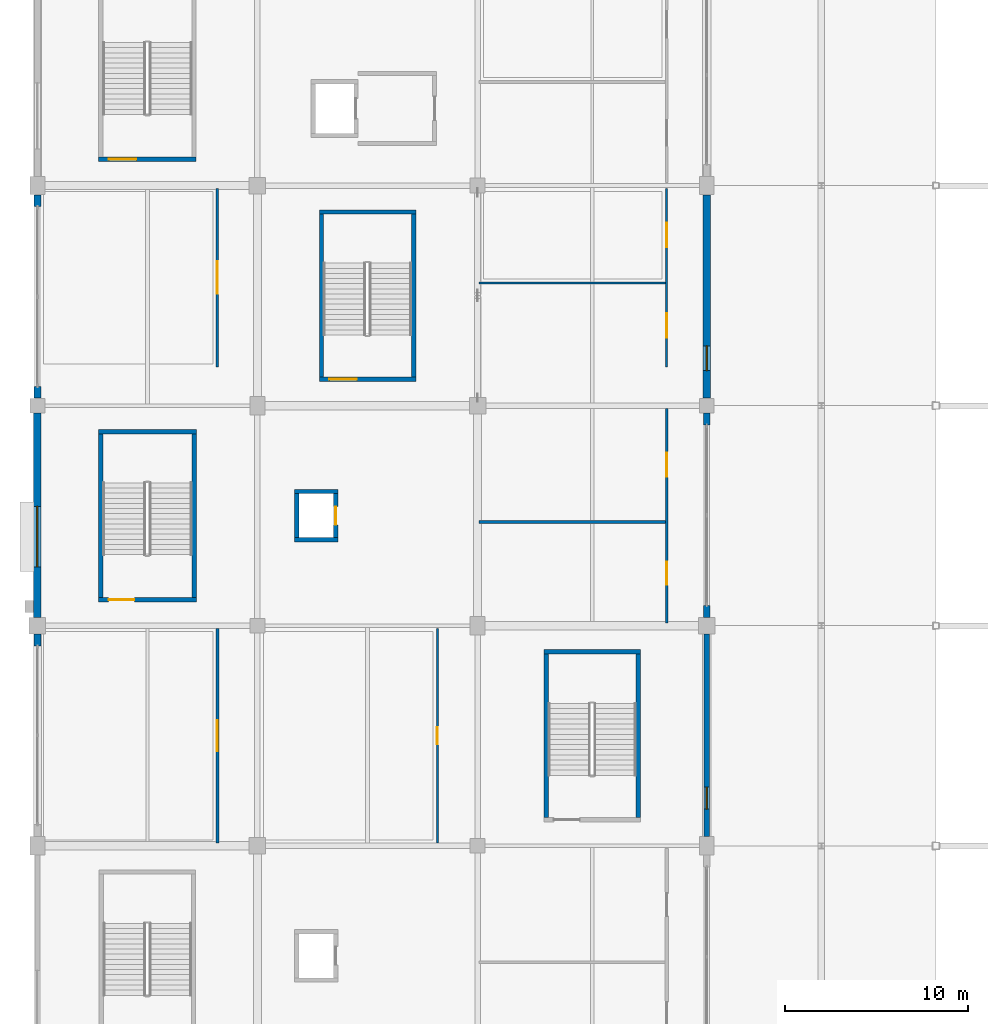
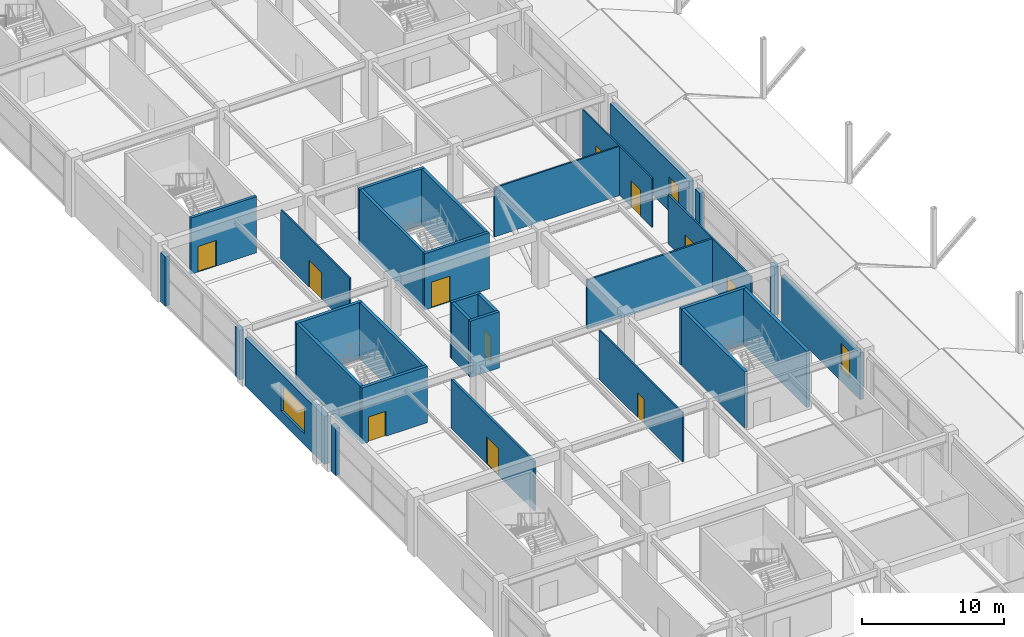
# One storey, part 70 of 116: 31 walls, 11 doors, 3 windows, 14 openings.
"""IFC4 building model written with IfcOpenShell, lengths in metres."""

from ifc_helpers import new_model, si_unit, direction, frame, frame_2d, origin, place, context, subcontext, project, spatial, rectangle, extrude, material, layer, layer_set, type_object, element, fill, save


model = new_model("IFC4")

# Units and contexts
model_context = context("Model", 3, precision=1e-05, world=origin(), true_north=direction((0.0, 1.0)))
body_context = subcontext(model_context, "Body", "Model", "MODEL_VIEW")
ifc_project = project(units=[si_unit("LENGTHUNIT", "METRE"), si_unit("AREAUNIT", "SQUARE_METRE"), si_unit("VOLUMEUNIT", "CUBIC_METRE"), si_unit("PLANEANGLEUNIT", "RADIAN"), si_unit("MASSUNIT", "GRAM", prefix="KILO")], contexts=[model_context])

# Site, building, storey
site_placement = place(None, origin())
site = spatial("IfcSite", under=ifc_project, at=site_placement, CompositionType="ELEMENT")
building_placement = place(site_placement, origin())
building = spatial("IfcBuilding", under=site, at=building_placement, Name="Kazenohara Klinker Stadium", CompositionType="ELEMENT")
storey_placement = place(building_placement, frame((0.0, 0.0, 10.199951171875)))
storey = spatial("IfcBuildingStorey", under=building, at=storey_placement, Name="L02", CompositionType="ELEMENT", Elevation=10.199951171875)

# Wall, opening, door
ifc_material_1 = material(Name="Concrete C40/50", Category="concrete")
ifc_layer_1 = layer(ifc_material_1, 0.22998046875)
ifc_layer_set_1 = layer_set([ifc_layer_1], Name="Concrete C40/50")
wall_type_1 = type_object("IfcWallType", Name="WAL-CORE-230", PredefinedType="SHEAR", material=ifc_layer_set_1)
wall_1_placement = place(storey_placement, frame((3.340087890625, 109.43505859375, 0.0), z_axis=(0.0, 0.0, 1.0), x_axis=(1.0, 0.0, 0.0)))
wall_1 = element("IfcWall", 1, at=wall_1_placement, inside=storey, type_object=wall_type_1, Name="Stairwell shear wall ST04 L02 South", PredefinedType="SHEAR", context=body_context, shape_type="SweptSolid", body=[
    extrude(rectangle(XDim=5.31982421875, YDim=0.22998046875, at=frame_2d((2.659912109375, 0.0))), origin(), (0.0, 0.0, 1.0), 4.820068359375),
])
opening_1_placement = place(wall_1_placement, frame((0.550048828125, 0.0, 0.0)))
opening_1 = element("IfcOpeningElement", 2, at=opening_1_placement, cuts=wall_1, Name="Opening SD02", PredefinedType="OPENING", context=body_context, shape_type="SweptSolid", body=[
    extrude(rectangle(XDim=1.5, YDim=2.199951171875, at=frame_2d((0.75, 1.10009765625))), frame((0.0, 0.125, 0.0), z_axis=(0.0, -1.0, 0.0), x_axis=(1.0, 0.0, 0.0)), (0.0, 0.0, 1.0), 0.25),
])
ifc_material_2 = material(Name="Flush painted steel fire door leaf", Category="steel")
door_type_1 = type_object("IfcDoorType", Name="DR-STR-1500x2200", OperationType="NOTDEFINED", PredefinedType="DOOR", material=ifc_material_2)
door_1_placement = place(opening_1_placement, origin())
door_1 = element("IfcDoor", 3, at=door_1_placement, inside=storey, type_object=door_type_1, Name="Escape stairwell fire door ST04-L02", OperationType="SINGLE_SWING_LEFT", OverallHeight=2.199951171875, OverallWidth=1.5, PredefinedType="DOOR", context=body_context, shape_type="SweptSolid", body=[
    extrude(rectangle(XDim=1.5, YDim=2.199951171875, at=frame_2d((0.75, 1.10009765625))), frame((0.0, 0.02490234375, 0.0), z_axis=(0.0, -1.0, 0.0), x_axis=(1.0, 0.0, 0.0)), (0.0, 0.0, 1.0), 0.050048828125),
])
fill(opening_1, door_1)

wall_2_placement = place(storey_placement, frame((15.3701171875, 97.43505859375, 0.0), z_axis=(0.0, 0.0, 1.0), x_axis=(1.0, 0.0, 0.0)))
wall_2 = element("IfcWall", 4, at=wall_2_placement, inside=storey, type_object=wall_type_1, Name="Stairwell shear wall ST14 L02 South", PredefinedType="SHEAR", context=body_context, shape_type="SweptSolid", body=[
    extrude(rectangle(XDim=5.259765625, YDim=0.22998046875, at=frame_2d((2.6298828125, 0.0))), origin(), (0.0, 0.0, 1.0), 4.820068359375),
])
opening_2_placement = place(wall_2_placement, frame((0.550048828125, 0.0, 0.0)))
opening_2 = element("IfcOpeningElement", 5, at=opening_2_placement, cuts=wall_2, Name="Opening SD02", PredefinedType="OPENING", context=body_context, shape_type="SweptSolid", body=[
    extrude(rectangle(XDim=1.5, YDim=2.199951171875, at=frame_2d((0.75, 1.10009765625))), frame((0.0, 0.125, 0.0), z_axis=(0.0, -1.0, 0.0), x_axis=(1.0, 0.0, 0.0)), (0.0, 0.0, 1.0), 0.25),
])
door_2_placement = place(opening_2_placement, origin())
door_2 = element("IfcDoor", 6, at=door_2_placement, inside=storey, type_object=door_type_1, Name="Escape stairwell fire door ST14-L02", OperationType="SINGLE_SWING_LEFT", OverallHeight=2.199951171875, OverallWidth=1.5, PredefinedType="DOOR", context=body_context, shape_type="SweptSolid", body=[
    extrude(rectangle(XDim=1.5, YDim=2.199951171875, at=frame_2d((0.75, 1.10009765625))), frame((0.0, 0.02490234375, 0.0), z_axis=(0.0, -1.0, 0.0), x_axis=(1.0, 0.0, 0.0)), (0.0, 0.0, 1.0), 0.050048828125),
])
fill(opening_2, door_2)

# Walls
wall_3_placement = place(storey_placement, frame((15.3701171875, 106.56494140625, 0.0), z_axis=(0.0, 0.0, 1.0), x_axis=(1.0, 0.0, 0.0)))
element("IfcWall", 7, at=wall_3_placement, inside=storey, type_object=wall_type_1, Name="Stairwell shear wall ST14 L02 North", PredefinedType="SHEAR", context=body_context, shape_type="SweptSolid", body=[
    extrude(rectangle(XDim=5.259765625, YDim=0.22998046875, at=frame_2d((2.6298828125, 0.0))), origin(), (0.0, 0.0, 1.0), 4.820068359375),
])
for number, where, z_axis, x_axis, name in (
    (8, (15.485107421875, 97.550048828125, 0.0), (0.0, 0.0, 1.0), (0.0, 1.0, 0.0), "Stairwell shear wall ST14 L02 West"),
    (9, (20.514892578125, 97.550048828125, 0.0), (0.0, 0.0, 1.0), (0.0, 1.0, 0.0), "Stairwell shear wall ST14 L02 East"),
):
    element("IfcWall", number, at=place(storey_placement, frame(where, z_axis=z_axis, x_axis=x_axis)), inside=storey, type_object=wall_type_1, Name=name, PredefinedType="SHEAR", context=body_context, shape_type="SweptSolid", body=[
        extrude(rectangle(XDim=8.89990234375, YDim=0.22998046875, at=frame_2d((4.449951171875, 0.0))), origin(), (0.0, 0.0, 1.0), 4.820068359375),
    ])
for number, where, z_axis, x_axis, name in (
    (10, (14.02001953125, 88.68505859375, 0.0), (0.0, 0.0, 1.0), (1.0, 0.0, 0.0), "Elevator shaft wall LP02 L02 South"),
    (11, (14.02001953125, 91.31494140625, 0.0), (0.0, 0.0, 1.0), (1.0, 0.0, 0.0), "Elevator shaft wall LP02 L02 North"),
):
    element("IfcWall", number, at=place(storey_placement, frame(where, z_axis=z_axis, x_axis=x_axis)), inside=storey, type_object=wall_type_1, Name=name, PredefinedType="SHEAR", context=body_context, shape_type="SweptSolid", body=[
        extrude(rectangle(XDim=2.35986328125, YDim=0.22998046875, at=frame_2d((1.179931640625, 0.0))), origin(), (0.0, 0.0, 1.0), 4.820068359375),
    ])
wall_4_placement = place(storey_placement, frame((14.135009765625, 88.800048828125, 0.0), z_axis=(0.0, 0.0, 1.0), x_axis=(0.0, 1.0, 0.0)))
element("IfcWall", 12, at=wall_4_placement, inside=storey, type_object=wall_type_1, Name="Elevator shaft wall LP02 L02 West", PredefinedType="SHEAR", context=body_context, shape_type="SweptSolid", body=[
    extrude(rectangle(XDim=2.39990234375, YDim=0.22998046875, at=frame_2d((1.199951171875, 0.0))), origin(), (0.0, 0.0, 1.0), 4.820068359375),
])

# Wall, opening, door
wall_5_placement = place(storey_placement, frame((16.264892578125, 88.800048828125, 0.0), z_axis=(0.0, 0.0, 1.0), x_axis=(0.0, 1.0, 0.0)))
wall_5 = element("IfcWall", 13, at=wall_5_placement, inside=storey, type_object=wall_type_1, Name="Elevator shaft wall LP02 L02 East", PredefinedType="SHEAR", context=body_context, shape_type="SweptSolid", body=[
    extrude(rectangle(XDim=2.39990234375, YDim=0.22998046875, at=frame_2d((1.199951171875, 0.0))), origin(), (0.0, 0.0, 1.0), 4.820068359375),
])
opening_3_placement = place(wall_5_placement, frame((0.699951171875, 0.0, 0.0)))
opening_3 = element("IfcOpeningElement", 14, at=opening_3_placement, cuts=wall_5, Name="Opening LD02", PredefinedType="OPENING", context=body_context, shape_type="SweptSolid", body=[
    extrude(rectangle(XDim=1.0, YDim=2.14990234375, at=frame_2d((0.5, 1.074951171875))), frame((0.0, 0.125, 0.0), z_axis=(0.0, -1.0, 0.0), x_axis=(1.0, 0.0, 0.0)), (0.0, 0.0, 1.0), 0.25),
])
ifc_material_3 = material(Name="Stainless steel sliding landing door", Category="steel")
door_type_2 = type_object("IfcDoorType", Name="DR-LD02-1000x2150", OperationType="NOTDEFINED", PredefinedType="DOOR", material=ifc_material_3)
door_3_placement = place(opening_3_placement, origin())
door_3 = element("IfcDoor", 15, at=door_3_placement, inside=storey, type_object=door_type_2, Name="Elevator sliding landing door LP02-L02", OperationType="DOUBLE_DOOR_SLIDING", OverallHeight=2.14990234375, OverallWidth=1.0, PredefinedType="DOOR", context=body_context, shape_type="SweptSolid", body=[
    extrude(rectangle(XDim=1.0, YDim=2.14990234375, at=frame_2d((0.5, 1.074951171875))), frame((0.0, 0.02490234375, 0.0), z_axis=(0.0, -1.0, 0.0), x_axis=(1.0, 0.0, 0.0)), (0.0, 0.0, 1.0), 0.050048828125),
])
fill(opening_3, door_3)

ifc_layer_2 = layer(ifc_material_1, 0.25)
ifc_layer_set_2 = layer_set([ifc_layer_2], Name="Concrete C40/50")
wall_type_2 = type_object("IfcWallType", Name="WAL-CORE-250", PredefinedType="SHEAR", material=ifc_layer_set_2)
wall_6_placement = place(storey_placement, frame((3.330078125, 85.425048828125, 0.0), z_axis=(0.0, 0.0, 1.0), x_axis=(1.0, 0.0, 0.0)))
wall_6 = element("IfcWall", 16, at=wall_6_placement, inside=storey, type_object=wall_type_2, Name="Stairwell shear wall ST03 L02 South", PredefinedType="SHEAR", context=body_context, shape_type="SweptSolid", body=[
    extrude(rectangle(XDim=5.33984375, YDim=0.25, at=frame_2d((2.669921875, 0.0))), origin(), (0.0, 0.0, 1.0), 4.820068359375),
])
opening_4_placement = place(wall_6_placement, frame((0.550048828125, 0.0, 0.0)))
opening_4 = element("IfcOpeningElement", 17, at=opening_4_placement, cuts=wall_6, Name="Opening SD01", PredefinedType="OPENING", context=body_context, shape_type="SweptSolid", body=[
    extrude(rectangle(XDim=1.39990234375, YDim=2.14990234375, at=frame_2d((0.699951171875, 1.074951171875))), frame((0.0, 0.135009765625, 0.0), z_axis=(0.0, -1.0, 0.0), x_axis=(1.0, 0.0, 0.0)), (0.0, 0.0, 1.0), 0.27001953125),
])
door_type_3 = type_object("IfcDoorType", Name="DR-STR-1400x2150", OperationType="NOTDEFINED", PredefinedType="DOOR", material=ifc_material_2)
door_4_placement = place(opening_4_placement, origin())
door_4 = element("IfcDoor", 18, at=door_4_placement, inside=storey, type_object=door_type_3, Name="Escape stairwell fire door ST03-L02", OperationType="SINGLE_SWING_RIGHT", OverallHeight=2.14990234375, OverallWidth=1.39990234375, PredefinedType="DOOR", context=body_context, shape_type="SweptSolid", body=[
    extrude(rectangle(XDim=1.39990234375, YDim=2.14990234375, at=frame_2d((0.699951171875, 1.074951171875))), frame((0.0, 0.02490234375, 0.0), z_axis=(0.0, -1.0, 0.0), x_axis=(1.0, 0.0, 0.0)), (0.0, 0.0, 1.0), 0.050048828125),
])
fill(opening_4, door_4)

# Walls
wall_7_placement = place(storey_placement, frame((3.330078125, 94.574951171875, 0.0), z_axis=(0.0, 0.0, 1.0), x_axis=(1.0, 0.0, 0.0)))
element("IfcWall", 19, at=wall_7_placement, inside=storey, type_object=wall_type_2, Name="Stairwell shear wall ST03 L02 North", PredefinedType="SHEAR", context=body_context, shape_type="SweptSolid", body=[
    extrude(rectangle(XDim=5.33984375, YDim=0.25, at=frame_2d((2.669921875, 0.0))), origin(), (0.0, 0.0, 1.0), 4.820068359375),
])
for number, where, z_axis, x_axis, name in (
    (20, (3.455078125, 85.550048828125, 0.0), (0.0, 0.0, 1.0), (0.0, 1.0, 0.0), "Stairwell shear wall ST03 L02 West"),
    (21, (8.544921875, 85.550048828125, 0.0), (0.0, 0.0, 1.0), (0.0, 1.0, 0.0), "Stairwell shear wall ST03 L02 East"),
):
    element("IfcWall", number, at=place(storey_placement, frame(where, z_axis=z_axis, x_axis=x_axis)), inside=storey, type_object=wall_type_2, Name=name, PredefinedType="SHEAR", context=body_context, shape_type="SweptSolid", body=[
        extrude(rectangle(XDim=8.89990234375, YDim=0.25, at=frame_2d((4.449951171875, 0.0))), origin(), (0.0, 0.0, 1.0), 4.820068359375),
    ])
wall_8_placement = place(storey_placement, frame((27.610107421875, 82.574951171875, 0.0), z_axis=(0.0, 0.0, 1.0), x_axis=(1.0, 0.0, 0.0)))
element("IfcWall", 22, at=wall_8_placement, inside=storey, type_object=wall_type_2, Name="Stairwell shear wall ST17 L02 North", PredefinedType="SHEAR", context=body_context, shape_type="SweptSolid", body=[
    extrude(rectangle(XDim=5.27978515625, YDim=0.25, at=frame_2d((2.639892578125, 0.0))), origin(), (0.0, 0.0, 1.0), 4.820068359375),
])
for number, where, z_axis, x_axis, name in (
    (23, (27.735107421875, 73.550048828125, 0.0), (0.0, 0.0, 1.0), (0.0, 1.0, 0.0), "Stairwell shear wall ST17 L02 West"),
    (24, (32.764892578125, 73.550048828125, 0.0), (0.0, 0.0, 1.0), (0.0, 1.0, 0.0), "Stairwell shear wall ST17 L02 East"),
):
    element("IfcWall", number, at=place(storey_placement, frame(where, z_axis=z_axis, x_axis=x_axis)), inside=storey, type_object=wall_type_2, Name=name, PredefinedType="SHEAR", context=body_context, shape_type="SweptSolid", body=[
        extrude(rectangle(XDim=8.89990234375, YDim=0.25, at=frame_2d((4.449951171875, 0.0))), origin(), (0.0, 0.0, 1.0), 4.820068359375),
    ])

# Wall, opening, window
ifc_material_4 = material(Name="Clinker brick masonry", Category="masonry")
ifc_layer_3 = layer(ifc_material_4, 0.280029296875)
ifc_layer_set_3 = layer_set([ifc_layer_3], Name="Clinker brick masonry")
wall_type_3 = type_object("IfcWallType", Name="WAL-EXT-CB280", PredefinedType="SOLIDWALL", material=ifc_layer_set_3)
wall_9_placement = place(storey_placement, frame((36.5, 72.50390625, 0.0), z_axis=(0.0, 0.0, 1.0), x_axis=(0.0, 1.0, 0.0)))
wall_9 = element("IfcWall", 25, at=wall_9_placement, inside=storey, type_object=wall_type_3, Name="Clinker brick cavity wall EW06 L02 Y3-6", PredefinedType="SOLIDWALL", context=body_context, shape_type="SweptSolid", body=[
    extrude(rectangle(XDim=11.0419921875, YDim=0.280029296875, at=frame_2d((5.52099609375, 0.0))), origin(), (0.0, 0.0, 1.0), 4.02001953125),
])
opening_5_placement = place(wall_9_placement, frame((1.5, 0.0, 0.949951171875)))
opening_5 = element("IfcOpeningElement", 26, at=opening_5_placement, cuts=wall_9, Name="Opening W06", PredefinedType="OPENING", context=body_context, shape_type="SweptSolid", body=[
    extrude(rectangle(XDim=1.199951171875, YDim=2.300048828125, at=frame_2d((0.60009765625, 1.14990234375))), frame((0.0, 0.14990234375, 0.0), z_axis=(0.0, -1.0, 0.0), x_axis=(1.0, 0.0, 0.0)), (0.0, 0.0, 1.0), 0.300048828125),
])
ifc_material_5 = material(Name="Dark bronze aluminium frame and triple glazing", Category="aluminium")
window_type_1 = type_object("IfcWindowType", Name="WIN-AS-06", PartitioningType="SINGLE_PANEL", PredefinedType="WINDOW", material=ifc_material_5)
window_1_placement = place(opening_5_placement, origin())
window_1 = element("IfcWindow", 27, at=window_1_placement, inside=storey, type_object=window_type_1, Name="Horizontal-mullion ladder window W06 L02 Y3-6", OverallHeight=2.300048828125, OverallWidth=1.199951171875, PartitioningType="SINGLE_PANEL", PredefinedType="WINDOW", context=body_context, shape_type="SweptSolid", body=[
    extrude(rectangle(XDim=1.199951171875, YDim=2.300048828125, at=frame_2d((0.60009765625, 1.14990234375))), frame((0.0, 0.030029296875, 0.0), z_axis=(0.0, -1.0, 0.0), x_axis=(1.0, 0.0, 0.0)), (0.0, 0.0, 1.0), 0.06005859375),
])
fill(opening_5, window_1)

# Walls
ifc_layer_4 = layer(ifc_material_4, 0.3701171875)
ifc_layer_set_4 = layer_set([ifc_layer_4], Name="Clinker brick masonry")
wall_type_4 = type_object("IfcWallType", Name="WAL-EXT-CB370", PredefinedType="SOLIDWALL", material=ifc_layer_set_4)
wall_10_placement = place(storey_placement, frame((0.0, 82.89599609375, 0.0), z_axis=(0.0, 0.0, 1.0), x_axis=(0.0, 1.0, 0.0)))
element("IfcWall", 28, at=wall_10_placement, inside=storey, type_object=wall_type_4, Name="Clinker brick curtain-wall jamb pier L02 Y0-6 B", PredefinedType="SOLIDWALL", context=body_context, shape_type="SweptSolid", body=[
    extrude(rectangle(XDim=0.64990234375, YDim=0.3701171875, at=frame_2d((0.324951171875, 0.0))), origin(), (0.0, 0.0, 1.0), 4.02001953125),
])
wall_11_placement = place(storey_placement, frame((0.0, 96.404052734375, 0.0), z_axis=(0.0, 0.0, 1.0), x_axis=(0.0, 1.0, 0.0)))
element("IfcWall", 29, at=wall_11_placement, inside=storey, type_object=wall_type_4, Name="Clinker brick curtain-wall jamb pier L02 Y0-8 A", PredefinedType="SOLIDWALL", context=body_context, shape_type="SweptSolid", body=[
    extrude(rectangle(XDim=0.64990234375, YDim=0.3701171875, at=frame_2d((0.324951171875, 0.0))), origin(), (0.0, 0.0, 1.0), 4.23193359375),
])
wall_12_placement = place(storey_placement, frame((0.0, 106.845947265625, 0.0), z_axis=(0.0, 0.0, 1.0), x_axis=(0.0, 1.0, 0.0)))
element("IfcWall", 30, at=wall_12_placement, inside=storey, type_object=wall_type_4, Name="Clinker brick curtain-wall jamb pier L02 Y0-8 B", PredefinedType="SOLIDWALL", context=body_context, shape_type="SweptSolid", body=[
    extrude(rectangle(XDim=0.650146484375, YDim=0.3701171875, at=frame_2d((0.3251953125, 0.0))), origin(), (0.0, 0.0, 1.0), 4.23193359375),
])
for number, where, z_axis, x_axis, name in (
    (31, (36.5, 84.4541015625, 0.0), (0.0, 0.0, 1.0), (0.0, 1.0, 0.0), "Clinker brick curtain-wall jamb pier L02 Y3-7 A"),
    (32, (36.5, 94.946044921875, 0.0), (0.0, 0.0, 1.0), (0.0, 1.0, 0.0), "Clinker brick curtain-wall jamb pier L02 Y3-7 B"),
):
    element("IfcWall", number, at=place(storey_placement, frame(where, z_axis=z_axis, x_axis=x_axis)), inside=storey, type_object=wall_type_4, Name=name, PredefinedType="SOLIDWALL", context=body_context, shape_type="SweptSolid", body=[
        extrude(rectangle(XDim=0.64990234375, YDim=0.3701171875, at=frame_2d((0.324951171875, 0.0))), origin(), (0.0, 0.0, 1.0), 4.1201171875),
    ])

# Wall, opening, window
ifc_layer_5 = layer(ifc_material_4, 0.409912109375)
ifc_layer_set_5 = layer_set([ifc_layer_5], Name="Clinker brick masonry")
wall_type_5 = type_object("IfcWallType", Name="WAL-EXT-CB410", PredefinedType="SOLIDWALL", material=ifc_layer_set_5)
wall_13_placement = place(storey_placement, frame((0.0, 84.4541015625, 0.0), z_axis=(0.0, 0.0, 1.0), x_axis=(0.0, 1.0, 0.0)))
wall_13 = element("IfcWall", 33, at=wall_13_placement, inside=storey, type_object=wall_type_5, Name="Clinker brick cavity wall EW02 L02 Y0-7", PredefinedType="SOLIDWALL", context=body_context, shape_type="SweptSolid", body=[
    extrude(rectangle(XDim=11.141845703125, YDim=0.409912109375, at=frame_2d((5.57080078125, 0.0))), origin(), (0.0, 0.0, 1.0), 4.1201171875),
])
opening_6_placement = place(wall_13_placement, frame((2.75, 0.0, 0.949951171875)))
opening_6 = element("IfcOpeningElement", 34, at=opening_6_placement, cuts=wall_13, Name="Opening W34", PredefinedType="OPENING", context=body_context, shape_type="SweptSolid", body=[
    extrude(rectangle(XDim=3.300048828125, YDim=2.25, at=frame_2d((1.64990234375, 1.125))), frame((0.0, 0.21484375, 0.0), z_axis=(0.0, -1.0, 0.0), x_axis=(1.0, 0.0, 0.0)), (0.0, 0.0, 1.0), 0.429931640625),
])
window_type_2 = type_object("IfcWindowType", Name="WIN-AS-34", PartitioningType="SINGLE_PANEL", PredefinedType="WINDOW", material=ifc_material_5)
window_2_placement = place(opening_6_placement, origin())
window_2 = element("IfcWindow", 35, at=window_2_placement, inside=storey, type_object=window_type_2, Name="Horizontal-mullion ladder window W34 L02 Y0-7", OverallHeight=2.25, OverallWidth=3.300048828125, PartitioningType="SINGLE_PANEL", PredefinedType="WINDOW", context=body_context, shape_type="SweptSolid", body=[
    extrude(rectangle(XDim=3.300048828125, YDim=2.25, at=frame_2d((1.64990234375, 1.125))), frame((0.0, 0.030029296875, 0.0), z_axis=(0.0, -1.0, 0.0), x_axis=(1.0, 0.0, 0.0)), (0.0, 0.0, 1.0), 0.06005859375),
])
fill(opening_6, window_2)

wall_14_placement = place(storey_placement, frame((36.5, 96.404052734375, 0.0), z_axis=(0.0, 0.0, 1.0), x_axis=(0.0, 1.0, 0.0)))
wall_14 = element("IfcWall", 36, at=wall_14_placement, inside=storey, type_object=wall_type_5, Name="Clinker brick cavity wall EW02 L02 Y3-8", PredefinedType="SOLIDWALL", context=body_context, shape_type="SweptSolid", body=[
    extrude(rectangle(XDim=11.092041015625, YDim=0.409912109375, at=frame_2d((5.5458984375, 0.0))), origin(), (0.0, 0.0, 1.0), 4.23193359375),
])
opening_7_placement = place(wall_14_placement, frame((1.5, 0.0, 0.949951171875)))
opening_7 = element("IfcOpeningElement", 37, at=opening_7_placement, cuts=wall_14, Name="Opening W07", PredefinedType="OPENING", context=body_context, shape_type="SweptSolid", body=[
    extrude(rectangle(XDim=1.35009765625, YDim=2.0, at=frame_2d((0.675048828125, 1.0))), frame((0.0, 0.21484375, 0.0), z_axis=(0.0, -1.0, 0.0), x_axis=(1.0, 0.0, 0.0)), (0.0, 0.0, 1.0), 0.429931640625),
])
window_type_3 = type_object("IfcWindowType", Name="WIN-AS-07", PartitioningType="SINGLE_PANEL", PredefinedType="WINDOW", material=ifc_material_5)
window_3_placement = place(opening_7_placement, origin())
window_3 = element("IfcWindow", 38, at=window_3_placement, inside=storey, type_object=window_type_3, Name="Horizontal-mullion ladder window W07 L02 Y3-8", OverallHeight=2.0, OverallWidth=1.35009765625, PartitioningType="SINGLE_PANEL", PredefinedType="WINDOW", context=body_context, shape_type="SweptSolid", body=[
    extrude(rectangle(XDim=1.35009765625, YDim=2.0, at=frame_2d((0.675048828125, 1.0))), frame((0.0, 0.030029296875, 0.0), z_axis=(0.0, -1.0, 0.0), x_axis=(1.0, 0.0, 0.0)), (0.0, 0.0, 1.0), 0.06005859375),
])
fill(opening_7, window_3)

# Wall, openings, doors
ifc_material_6 = material(Name="Fire-rated gypsum board on acoustic studs", Category="gypsum")
ifc_layer_6 = layer(ifc_material_6, 0.110107421875)
ifc_layer_set_6 = layer_set([ifc_layer_6], Name="Fire-rated gypsum board on acoustic studs")
wall_type_6 = type_object("IfcWallType", Name="WAL-INT-P110", PredefinedType="PARTITIONING", material=ifc_layer_set_6)
wall_15_placement = place(storey_placement, frame((34.31005859375, 98.1201171875, 0.0), z_axis=(0.0, 0.0, 1.0), x_axis=(0.0, 1.0, 0.0)))
wall_15 = element("IfcWall", 39, at=wall_15_placement, inside=storey, type_object=wall_type_6, Name="Interior partition wall PT01 SPC-L02-02-08-1-1", PredefinedType="PARTITIONING", context=body_context, shape_type="SweptSolid", body=[
    extrude(rectangle(XDim=9.719970703125, YDim=0.110107421875, at=frame_2d((4.85986328125, 0.0))), origin(), (0.0, 0.0, 1.0), 4.219970703125),
])
opening_8_placement = place(wall_15_placement, frame((1.5791015625, 0.0, 0.0)))
opening_8 = element("IfcOpeningElement", 40, at=opening_8_placement, cuts=wall_15, Name="Opening ID16", PredefinedType="OPENING", context=body_context, shape_type="SweptSolid", body=[
    extrude(rectangle(XDim=1.330078125, YDim=2.219970703125, at=frame_2d((0.6650390625, 1.10986328125))), frame((0.0, 0.06494140625, 0.0), z_axis=(0.0, -1.0, 0.0), x_axis=(1.0, 0.0, 0.0)), (0.0, 0.0, 1.0), 0.130126953125),
])
opening_9_placement = place(wall_15_placement, frame((6.504150390625, 0.0, 0.0)))
opening_9 = element("IfcOpeningElement", 41, at=opening_9_placement, cuts=wall_15, Name="Opening ID17", PredefinedType="OPENING", context=body_context, shape_type="SweptSolid", body=[
    extrude(rectangle(XDim=1.360107421875, YDim=2.25, at=frame_2d((0.68017578125, 1.125))), frame((0.0, 0.06494140625, 0.0), z_axis=(0.0, -1.0, 0.0), x_axis=(1.0, 0.0, 0.0)), (0.0, 0.0, 1.0), 0.130126953125),
])
ifc_material_7 = material(Name="Solid-core Hokkaido oak fire door", Category="wood")
door_type_4 = type_object("IfcDoorType", Name="DR-INT-16", OperationType="NOTDEFINED", PredefinedType="DOOR", material=ifc_material_7)
door_5_placement = place(opening_8_placement, origin())
door_5 = element("IfcDoor", 42, at=door_5_placement, inside=storey, type_object=door_type_4, Name="Interior door ID16 Founders Club Hospitality Lounge L02-0208A", OperationType="SINGLE_SWING_LEFT", OverallHeight=2.219970703125, OverallWidth=1.330078125, PredefinedType="DOOR", context=body_context, shape_type="SweptSolid", body=[
    extrude(rectangle(XDim=1.330078125, YDim=2.219970703125, at=frame_2d((0.6650390625, 1.10986328125))), frame((0.0, 0.02490234375, 0.0), z_axis=(0.0, -1.0, 0.0), x_axis=(1.0, 0.0, 0.0)), (0.0, 0.0, 1.0), 0.050048828125),
])
fill(opening_8, door_5)
door_type_5 = type_object("IfcDoorType", Name="DR-INT-17", OperationType="NOTDEFINED", PredefinedType="DOOR", material=ifc_material_7)
door_6_placement = place(opening_9_placement, origin())
door_6 = element("IfcDoor", 43, at=door_6_placement, inside=storey, type_object=door_type_5, Name="Interior door ID17 Sapporo Autumn Banquet Hall L02-0208B", OperationType="SINGLE_SWING_RIGHT", OverallHeight=2.25, OverallWidth=1.360107421875, PredefinedType="DOOR", context=body_context, shape_type="SweptSolid", body=[
    extrude(rectangle(XDim=1.360107421875, YDim=2.25, at=frame_2d((0.68017578125, 1.125))), frame((0.0, 0.02490234375, 0.0), z_axis=(0.0, -1.0, 0.0), x_axis=(1.0, 0.0, 0.0)), (0.0, 0.0, 1.0), 0.050048828125),
])
fill(opening_9, door_6)

# Wall, opening, door
ifc_layer_7 = layer(ifc_material_6, 0.1201171875)
ifc_layer_set_7 = layer_set([ifc_layer_7], Name="Fire-rated gypsum board on acoustic studs")
wall_type_7 = type_object("IfcWallType", Name="WAL-INT-P120", PredefinedType="PARTITIONING", material=ifc_layer_set_7)
wall_16_placement = place(storey_placement, frame((9.81005859375, 98.1201171875, 0.0), z_axis=(0.0, 0.0, 1.0), x_axis=(0.0, 1.0, 0.0)))
wall_16 = element("IfcWall", 44, at=wall_16_placement, inside=storey, type_object=wall_type_7, Name="Interior partition wall PT02 SPC-L02-00-08-1-1", PredefinedType="PARTITIONING", context=body_context, shape_type="SweptSolid", body=[
    extrude(rectangle(XDim=9.719970703125, YDim=0.1201171875, at=frame_2d((4.85986328125, 0.0))), origin(), (0.0, 0.0, 1.0), 4.219970703125),
])
opening_10_placement = place(wall_16_placement, frame((3.97998046875, 0.0, 0.0)))
opening_10 = element("IfcOpeningElement", 45, at=opening_10_placement, cuts=wall_16, Name="Opening ID26", PredefinedType="OPENING", context=body_context, shape_type="SweptSolid", body=[
    extrude(rectangle(XDim=1.760009765625, YDim=2.300048828125, at=frame_2d((0.8798828125, 1.14990234375))), frame((0.0, 0.070068359375, 0.0), z_axis=(0.0, -1.0, 0.0), x_axis=(1.0, 0.0, 0.0)), (0.0, 0.0, 1.0), 0.14013671875),
])
ifc_material_8 = material(Name="Painted steel plant fire door", Category="steel")
door_type_6 = type_object("IfcDoorType", Name="DR-INT-26", OperationType="NOTDEFINED", PredefinedType="DOOR", material=ifc_material_8)
door_7_placement = place(opening_10_placement, origin())
door_7 = element("IfcDoor", 46, at=door_7_placement, inside=storey, type_object=door_type_6, Name="Interior door ID26 Sapporo Autumn Banquet Hall L02-0008A", OperationType="SINGLE_SWING_LEFT", OverallHeight=2.300048828125, OverallWidth=1.760009765625, PredefinedType="DOOR", context=body_context, shape_type="SweptSolid", body=[
    extrude(rectangle(XDim=1.760009765625, YDim=2.300048828125, at=frame_2d((0.8798828125, 1.14990234375))), frame((0.0, 0.02490234375, 0.0), z_axis=(0.0, -1.0, 0.0), x_axis=(1.0, 0.0, 0.0)), (0.0, 0.0, 1.0), 0.050048828125),
])
fill(opening_10, door_7)

wall_17_placement = place(storey_placement, frame((21.81005859375, 72.159912109375, 0.0), z_axis=(0.0, 0.0, 1.0), x_axis=(0.0, 1.0, 0.0)))
wall_17 = element("IfcWall", 47, at=wall_17_placement, inside=storey, type_object=wall_type_7, Name="Interior partition wall PT02 SPC-L02-01-06-1-1", PredefinedType="PARTITIONING", context=body_context, shape_type="SweptSolid", body=[
    extrude(rectangle(XDim=11.68017578125, YDim=0.1201171875, at=frame_2d((5.840087890625, 0.0))), origin(), (0.0, 0.0, 1.0), 4.219970703125),
])
opening_11_placement = place(wall_17_placement, frame((5.364990234375, 0.0, 0.0)))
opening_11 = element("IfcOpeningElement", 48, at=opening_11_placement, cuts=wall_17, Name="Opening ID03", PredefinedType="OPENING", context=body_context, shape_type="SweptSolid", body=[
    extrude(rectangle(XDim=0.949951171875, YDim=2.1201171875, at=frame_2d((0.47509765625, 1.06005859375))), frame((0.0, 0.070068359375, 0.0), z_axis=(0.0, -1.0, 0.0), x_axis=(1.0, 0.0, 0.0)), (0.0, 0.0, 1.0), 0.14013671875),
])
door_type_7 = type_object("IfcDoorType", Name="DR-INT-03", OperationType="NOTDEFINED", PredefinedType="DOOR", material=ifc_material_7)
door_8_placement = place(opening_11_placement, origin())
door_8 = element("IfcDoor", 49, at=door_8_placement, inside=storey, type_object=door_type_7, Name="Interior door ID03 Hospitality Culinary Catering Kitchen L02-0106A", OperationType="SINGLE_SWING_RIGHT", OverallHeight=2.1201171875, OverallWidth=0.949951171875, PredefinedType="DOOR", context=body_context, shape_type="SweptSolid", body=[
    extrude(rectangle(XDim=0.949951171875, YDim=2.1201171875, at=frame_2d((0.47509765625, 1.06005859375))), frame((0.0, 0.02490234375, 0.0), z_axis=(0.0, -1.0, 0.0), x_axis=(1.0, 0.0, 0.0)), (0.0, 0.0, 1.0), 0.050048828125),
])
fill(opening_11, door_8)

# Wall
wall_18_placement = place(storey_placement, frame((24.080078125, 102.6884765625, 0.0), z_axis=(0.0, 0.0, 1.0), x_axis=(1.0, 0.0, 0.0)))
element("IfcWall", 50, at=wall_18_placement, inside=storey, type_object=wall_type_7, Name="Interior partition wall PT02 SPC-L02-02-08-1-2", PredefinedType="PARTITIONING", context=body_context, shape_type="SweptSolid", body=[
    extrude(rectangle(XDim=10.169921875, YDim=0.1201171875, at=frame_2d((5.0849609375, 0.0))), origin(), (0.0, 0.0, 1.0), 4.219970703125),
])

# Wall, openings, doors
ifc_layer_8 = layer(ifc_material_6, 0.139892578125)
ifc_layer_set_8 = layer_set([ifc_layer_8], Name="Fire-rated gypsum board on acoustic studs")
wall_type_8 = type_object("IfcWallType", Name="WAL-INT-P140", PredefinedType="PARTITIONING", material=ifc_layer_set_8)
wall_19_placement = place(storey_placement, frame((34.31005859375, 84.159912109375, 0.0), z_axis=(0.0, 0.0, 1.0), x_axis=(0.0, 1.0, 0.0)))
wall_19 = element("IfcWall", 51, at=wall_19_placement, inside=storey, type_object=wall_type_8, Name="Interior partition wall PT03 SPC-L02-02-07-1-1", PredefinedType="PARTITIONING", context=body_context, shape_type="SweptSolid", body=[
    extrude(rectangle(XDim=11.68017578125, YDim=0.139892578125, at=frame_2d((5.840087890625, 0.0))), origin(), (0.0, 0.0, 1.0), 4.219970703125),
])
opening_12_placement = place(wall_19_placement, frame((2.06982421875, 0.0, 0.0)))
opening_12 = element("IfcOpeningElement", 52, at=opening_12_placement, cuts=wall_19, Name="Opening ID14", PredefinedType="OPENING", context=body_context, shape_type="SweptSolid", body=[
    extrude(rectangle(XDim=1.27001953125, YDim=2.199951171875, at=frame_2d((0.635009765625, 1.10009765625))), frame((0.0, 0.080078125, 0.0), z_axis=(0.0, -1.0, 0.0), x_axis=(1.0, 0.0, 0.0)), (0.0, 0.0, 1.0), 0.159912109375),
])
opening_13_placement = place(wall_19_placement, frame((7.974853515625, 0.0, 0.0)))
opening_13 = element("IfcOpeningElement", 53, at=opening_13_placement, cuts=wall_19, Name="Opening ID15", PredefinedType="OPENING", context=body_context, shape_type="SweptSolid", body=[
    extrude(rectangle(XDim=1.300048828125, YDim=2.239990234375, at=frame_2d((0.64990234375, 1.1201171875))), frame((0.0, 0.080078125, 0.0), z_axis=(0.0, -1.0, 0.0), x_axis=(1.0, 0.0, 0.0)), (0.0, 0.0, 1.0), 0.159912109375),
])
door_type_8 = type_object("IfcDoorType", Name="DR-INT-14", OperationType="NOTDEFINED", PredefinedType="DOOR", material=ifc_material_7)
door_9_placement = place(opening_12_placement, origin())
door_9 = element("IfcDoor", 54, at=door_9_placement, inside=storey, type_object=door_type_8, Name="Interior door ID14 Hospitality Culinary Catering Kitchen L02-0207A", OperationType="SINGLE_SWING_LEFT", OverallHeight=2.199951171875, OverallWidth=1.27001953125, PredefinedType="DOOR", context=body_context, shape_type="SweptSolid", body=[
    extrude(rectangle(XDim=1.27001953125, YDim=2.199951171875, at=frame_2d((0.635009765625, 1.10009765625))), frame((0.0, 0.02490234375, 0.0), z_axis=(0.0, -1.0, 0.0), x_axis=(1.0, 0.0, 0.0)), (0.0, 0.0, 1.0), 0.050048828125),
])
fill(opening_12, door_9)
door_type_9 = type_object("IfcDoorType", Name="DR-INT-15", OperationType="NOTDEFINED", PredefinedType="DOOR", material=ifc_material_7)
door_10_placement = place(opening_13_placement, origin())
door_10 = element("IfcDoor", 55, at=door_10_placement, inside=storey, type_object=door_type_9, Name="Interior door ID15 Club Reception Dining Lounge L02-0207B", OperationType="SINGLE_SWING_RIGHT", OverallHeight=2.239990234375, OverallWidth=1.300048828125, PredefinedType="DOOR", context=body_context, shape_type="SweptSolid", body=[
    extrude(rectangle(XDim=1.300048828125, YDim=2.239990234375, at=frame_2d((0.64990234375, 1.1201171875))), frame((0.0, 0.02490234375, 0.0), z_axis=(0.0, -1.0, 0.0), x_axis=(1.0, 0.0, 0.0)), (0.0, 0.0, 1.0), 0.050048828125),
])
fill(opening_13, door_10)

# Wall
ifc_layer_9 = layer(ifc_material_6, 0.14990234375)
ifc_layer_set_9 = layer_set([ifc_layer_9], Name="Fire-rated gypsum board on acoustic studs")
wall_type_9 = type_object("IfcWallType", Name="WAL-INT-P150", PredefinedType="PARTITIONING", material=ifc_layer_set_9)
wall_20_placement = place(storey_placement, frame((24.080078125, 89.649658203125, 0.0), z_axis=(0.0, 0.0, 1.0), x_axis=(1.0, 0.0, 0.0)))
element("IfcWall", 56, at=wall_20_placement, inside=storey, type_object=wall_type_9, Name="Interior partition wall PT04 SPC-L02-02-07-1-2", PredefinedType="PARTITIONING", context=body_context, shape_type="SweptSolid", body=[
    extrude(rectangle(XDim=10.155029296875, YDim=0.14990234375, at=frame_2d((5.07763671875, 0.0))), origin(), (0.0, 0.0, 1.0), 4.219970703125),
])

# Wall, opening, door
ifc_layer_10 = layer(ifc_material_6, 0.169921875)
ifc_layer_set_10 = layer_set([ifc_layer_10], Name="Fire-rated gypsum board on acoustic studs")
wall_type_10 = type_object("IfcWallType", Name="WAL-INT-P170", PredefinedType="PARTITIONING", material=ifc_layer_set_10)
wall_21_placement = place(storey_placement, frame((9.81005859375, 72.159912109375, 0.0), z_axis=(0.0, 0.0, 1.0), x_axis=(0.0, 1.0, 0.0)))
wall_21 = element("IfcWall", 57, at=wall_21_placement, inside=storey, type_object=wall_type_10, Name="Interior partition wall PT05 SPC-L02-00-06-1-1", PredefinedType="PARTITIONING", context=body_context, shape_type="SweptSolid", body=[
    extrude(rectangle(XDim=11.68017578125, YDim=0.169921875, at=frame_2d((5.840087890625, 0.0))), origin(), (0.0, 0.0, 1.0), 4.219970703125),
])
opening_14_placement = place(wall_21_placement, frame((4.989990234375, 0.0, 0.0)))
opening_14 = element("IfcOpeningElement", 58, at=opening_14_placement, cuts=wall_21, Name="Opening ID25", PredefinedType="OPENING", context=body_context, shape_type="SweptSolid", body=[
    extrude(rectangle(XDim=1.699951171875, YDim=2.320068359375, at=frame_2d((0.85009765625, 1.16015625))), frame((0.0, 0.094970703125, 0.0), z_axis=(0.0, -1.0, 0.0), x_axis=(1.0, 0.0, 0.0)), (0.0, 0.0, 1.0), 0.18994140625),
])
door_type_10 = type_object("IfcDoorType", Name="DR-INT-25", OperationType="NOTDEFINED", PredefinedType="DOOR", material=ifc_material_8)
door_11_placement = place(opening_14_placement, origin())
door_11 = element("IfcDoor", 59, at=door_11_placement, inside=storey, type_object=door_type_10, Name="Interior door ID25 Club Reception Dining Lounge L02-0006A", OperationType="SINGLE_SWING_RIGHT", OverallHeight=2.320068359375, OverallWidth=1.699951171875, PredefinedType="DOOR", context=body_context, shape_type="SweptSolid", body=[
    extrude(rectangle(XDim=1.699951171875, YDim=2.320068359375, at=frame_2d((0.85009765625, 1.16015625))), frame((0.0, 0.02490234375, 0.0), z_axis=(0.0, -1.0, 0.0), x_axis=(1.0, 0.0, 0.0)), (0.0, 0.0, 1.0), 0.050048828125),
])
fill(opening_14, door_11)

save(model, "model.ifc")
